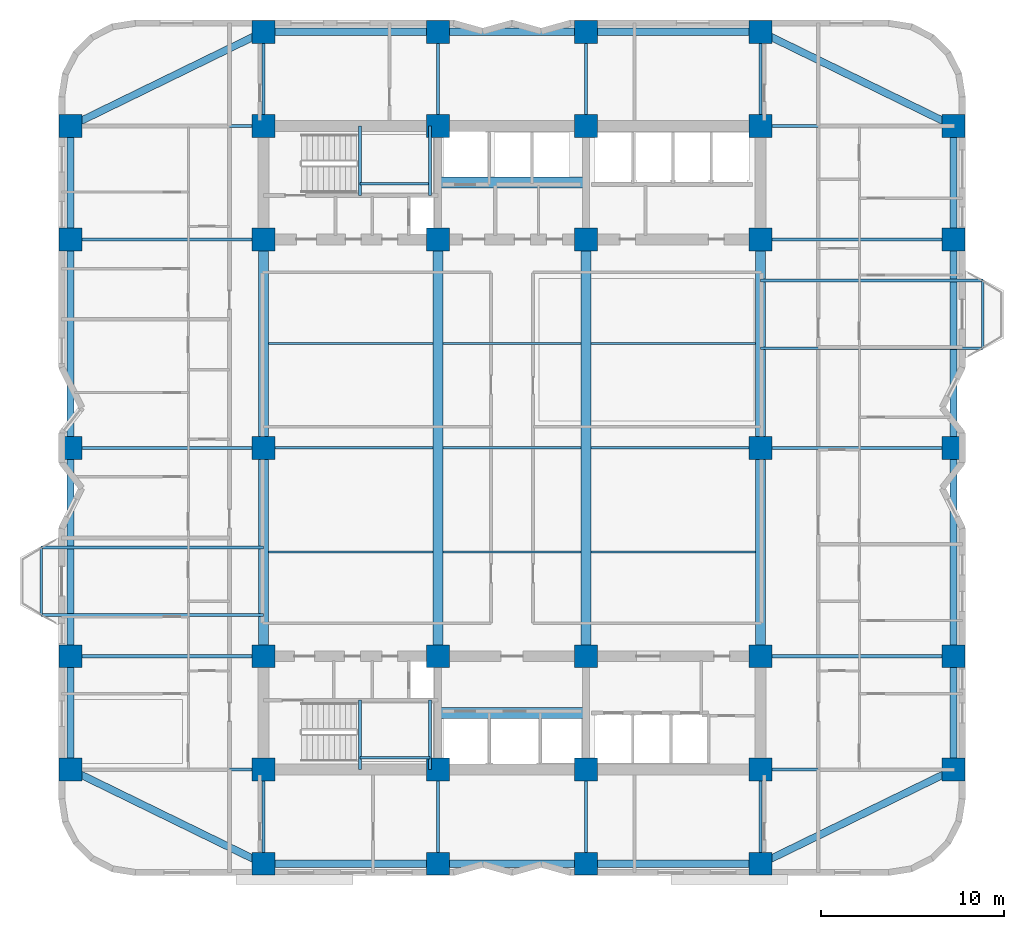
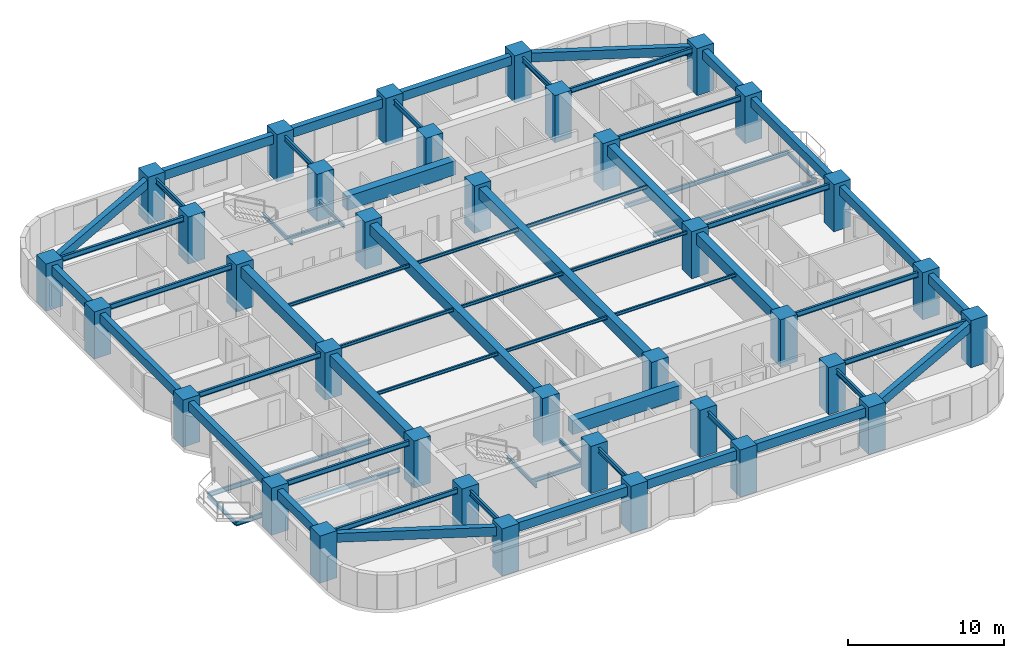
# One storey, part 1 of 10: 65 beams, 36 columns.
"""IFC4 building model written with IfcOpenShell, lengths in metres."""

from ifc_helpers import new_model, si_unit, direction, frame, origin, origin_2d, place, context, subcontext, project, spatial, rectangle, i_section, extrude, material, material_profile, profile_set, type_object, element, save


model = new_model("IFC4")

# Units and contexts
model_context = context("Model", 3, precision=1e-05, world=origin(), true_north=direction((0.0, 1.0)))
body_context = subcontext(model_context, "Body", "Model", "MODEL_VIEW")
ifc_project = project(units=[si_unit("LENGTHUNIT", "METRE"), si_unit("AREAUNIT", "SQUARE_METRE"), si_unit("VOLUMEUNIT", "CUBIC_METRE"), si_unit("PLANEANGLEUNIT", "RADIAN"), si_unit("MASSUNIT", "GRAM", prefix="KILO")], contexts=[model_context])

# Site, building, storey
site_placement = place(None, origin())
site = spatial("IfcSite", under=ifc_project, at=site_placement, CompositionType="ELEMENT")
building_placement = place(site_placement, origin())
building = spatial("IfcBuilding", under=site, at=building_placement, Name="Svetorya Sky Lyceum", CompositionType="ELEMENT")
storey_placement = place(building_placement, frame((0.0, 0.0, 69.5)))
storey = spatial("IfcBuildingStorey", under=building, at=storey_placement, Name="L17", CompositionType="ELEMENT", Elevation=69.5)

# Columns
ifc_material_1 = material(Name="Concrete C60/75", Category="concrete")
ifc_material_profile_1 = material_profile(ifc_material_1, rectangle(XDim=1.25, YDim=1.25, at=origin_2d()), Name="RC COL 1250x1250")
ifc_profile_set_1 = profile_set([ifc_material_profile_1], Name="Concrete C60/75")
column_type = type_object("IfcColumnType", Name="COL-RC-1250", PredefinedType="COLUMN", material=ifc_profile_set_1)
for number, where, z_axis, x_axis, name in (
    (1, (25.60009765625, 10.60009765625, 0.0), (0.0, 0.0, 1.0), (1.0, 0.0, 0.0), "L17 Core Column CS-11"),
    (2, (25.60009765625, 16.800048828125, 0.0), (0.0, 0.0, 1.0), (1.0, 0.0, 0.0), "L17 Core Column CS-12"),
    (3, (35.14990234375, 10.60009765625, 0.0), (0.0, 0.0, 1.0), (1.0, 0.0, 0.0), "L17 Core Column CS-21"),
    (4, (35.14990234375, 16.800048828125, 0.0), (0.0, 0.0, 1.0), (1.0, 0.0, 0.0), "L17 Core Column CS-22"),
    (5, (43.25, 10.60009765625, 0.0), (0.0, 0.0, 1.0), (1.0, 0.0, 0.0), "L17 Core Column CS-31"),
    (6, (43.25, 16.800048828125, 0.0), (0.0, 0.0, 1.0), (1.0, 0.0, 0.0), "L17 Core Column CS-32"),
    (7, (52.800048828125, 10.60009765625, 0.0), (0.0, 0.0, 1.0), (1.0, 0.0, 0.0), "L17 Core Column CS-41"),
    (8, (52.800048828125, 16.800048828125, 0.0), (0.0, 0.0, 1.0), (1.0, 0.0, 0.0), "L17 Core Column CS-42"),
    (9, (25.60009765625, 39.60009765625, 0.0), (0.0, 0.0, 1.0), (1.0, 0.0, 0.0), "L17 Core Column CN-11"),
    (10, (25.60009765625, 45.800048828125, 0.0), (0.0, 0.0, 1.0), (1.0, 0.0, 0.0), "L17 Core Column CN-12"),
    (11, (35.14990234375, 39.60009765625, 0.0), (0.0, 0.0, 1.0), (1.0, 0.0, 0.0), "L17 Core Column CN-21"),
    (12, (35.14990234375, 45.800048828125, 0.0), (0.0, 0.0, 1.0), (1.0, 0.0, 0.0), "L17 Core Column CN-22"),
    (13, (43.25, 39.60009765625, 0.0), (0.0, 0.0, 1.0), (1.0, 0.0, 0.0), "L17 Core Column CN-31"),
    (14, (43.25, 45.800048828125, 0.0), (0.0, 0.0, 1.0), (1.0, 0.0, 0.0), "L17 Core Column CN-32"),
    (15, (52.800048828125, 39.60009765625, 0.0), (0.0, 0.0, 1.0), (1.0, 0.0, 0.0), "L17 Core Column CN-41"),
    (16, (52.800048828125, 45.800048828125, 0.0), (0.0, 0.0, 1.0), (1.0, 0.0, 0.0), "L17 Core Column CN-42"),
    (17, (25.60009765625, 28.199951171875, 0.0), (0.0, 0.0, 1.0), (1.0, 0.0, 0.0), "L17 Core Column CM-W"),
    (18, (52.800048828125, 28.199951171875, 0.0), (0.0, 0.0, 1.0), (1.0, 0.0, 0.0), "L17 Core Column CM-E"),
    (19, (25.60009765625, 5.449951171875, 0.0), (0.0, 0.0, 1.0), (1.0, 0.0, 0.0), "L17 Perimeter Column S1"),
    (20, (25.60009765625, 50.949951171875, 0.0), (0.0, 0.0, 1.0), (1.0, 0.0, 0.0), "L17 Perimeter Column N1"),
    (21, (35.14990234375, 5.449951171875, 0.0), (0.0, 0.0, 1.0), (1.0, 0.0, 0.0), "L17 Perimeter Column S2"),
    (22, (35.14990234375, 50.949951171875, 0.0), (0.0, 0.0, 1.0), (1.0, 0.0, 0.0), "L17 Perimeter Column N2"),
    (23, (43.25, 5.449951171875, 0.0), (0.0, 0.0, 1.0), (1.0, 0.0, 0.0), "L17 Perimeter Column S3"),
    (24, (43.25, 50.949951171875, 0.0), (0.0, 0.0, 1.0), (1.0, 0.0, 0.0), "L17 Perimeter Column N3"),
    (25, (52.800048828125, 5.449951171875, 0.0), (0.0, 0.0, 1.0), (1.0, 0.0, 0.0), "L17 Perimeter Column S4"),
    (26, (52.800048828125, 50.949951171875, 0.0), (0.0, 0.0, 1.0), (1.0, 0.0, 0.0), "L17 Perimeter Column N4"),
    (27, (15.050048828125, 10.60009765625, 0.0), (0.0, 0.0, 1.0), (1.0, 0.0, 0.0), "L17 Perimeter Column W1"),
    (28, (63.35009765625, 10.60009765625, 0.0), (0.0, 0.0, 1.0), (1.0, 0.0, 0.0), "L17 Perimeter Column E1"),
    (29, (15.050048828125, 16.800048828125, 0.0), (0.0, 0.0, 1.0), (1.0, 0.0, 0.0), "L17 Perimeter Column W2"),
    (30, (63.35009765625, 16.800048828125, 0.0), (0.0, 0.0, 1.0), (1.0, 0.0, 0.0), "L17 Perimeter Column E2"),
    (31, (15.050048828125, 28.199951171875, 0.0), (0.0, 0.0, 1.0), (1.0, 0.0, 0.0), "L17 Perimeter Column W3"),
    (32, (63.35009765625, 28.199951171875, 0.0), (0.0, 0.0, 1.0), (1.0, 0.0, 0.0), "L17 Perimeter Column E3"),
    (33, (15.050048828125, 39.60009765625, 0.0), (0.0, 0.0, 1.0), (1.0, 0.0, 0.0), "L17 Perimeter Column W4"),
    (34, (63.35009765625, 39.60009765625, 0.0), (0.0, 0.0, 1.0), (1.0, 0.0, 0.0), "L17 Perimeter Column E4"),
    (35, (15.050048828125, 45.800048828125, 0.0), (0.0, 0.0, 1.0), (1.0, 0.0, 0.0), "L17 Perimeter Column W5"),
    (36, (63.35009765625, 45.800048828125, 0.0), (0.0, 0.0, 1.0), (1.0, 0.0, 0.0), "L17 Perimeter Column E5"),
):
    element("IfcColumn", number, at=place(storey_placement, frame(where, z_axis=z_axis, x_axis=x_axis)), inside=storey, type_object=column_type, Name=name, PredefinedType="COLUMN", context=body_context, shape_type="SweptSolid", body=[
        extrude(rectangle(XDim=1.25, YDim=1.25, at=origin_2d()), origin(), (0.0, 0.0, 1.0), 3.699951171875),
    ])

# Beams
ifc_material_profile_2 = material_profile(ifc_material_1, rectangle(XDim=0.60009765625, YDim=1.10009765625, at=origin_2d()), Name="RC COUPLING 600x1100")
ifc_profile_set_2 = profile_set([ifc_material_profile_2], Name="Concrete C60/75")
beam_type_1 = type_object("IfcBeamType", Name="BM-CPL-1100", PredefinedType="LINTEL", material=ifc_profile_set_2)
for number, where, z_axis, x_axis, name in (
    (37, (35.14990234375, 13.699951171875, 2.8701171875), (1.0, 0.0, 0.0), (0.0, 1.0, 0.0), "L17 SC Core Coupling Beam"),
    (38, (35.14990234375, 42.699951171875, 2.8701171875), (1.0, 0.0, 0.0), (0.0, 1.0, 0.0), "L17 NC Core Coupling Beam"),
):
    element("IfcBeam", number, at=place(storey_placement, frame(where, z_axis=z_axis, x_axis=x_axis)), inside=storey, type_object=beam_type_1, Name=name, PredefinedType="LINTEL", context=body_context, shape_type="SweptSolid", body=[
        extrude(rectangle(XDim=0.60009765625, YDim=1.10009765625, at=origin_2d()), origin(), (0.0, 0.0, 1.0), 8.10009765625),
    ])
ifc_material_2 = material(Name="Concrete C50/60", Category="concrete")
ifc_material_profile_3 = material_profile(ifc_material_2, rectangle(XDim=0.550048828125, YDim=0.85009765625, at=origin_2d()), Name="RC BEAM 550x850")
ifc_profile_set_3 = profile_set([ifc_material_profile_3], Name="Concrete C50/60")
beam_type_2 = type_object("IfcBeamType", Name="BM-RC-850", PredefinedType="BEAM", material=ifc_profile_set_3)
beam_1_placement = place(storey_placement, frame((25.60009765625, 16.800048828125, 2.9951171875), z_axis=(0.0, 1.0, 0.0), x_axis=(-1.0, 0.0, 0.0)))
element("IfcBeam", 39, at=beam_1_placement, inside=storey, type_object=beam_type_2, Name="L17 Central Bay Primary Girder CG-1A", PredefinedType="BEAM", context=body_context, shape_type="SweptSolid", body=[
    extrude(rectangle(XDim=0.550048828125, YDim=0.85009765625, at=origin_2d()), origin(), (0.0, 0.0, 1.0), 11.39990234375),
])
beam_2_placement = place(storey_placement, frame((25.60009765625, 28.199951171875, 2.9951171875), z_axis=(0.0, 1.0, 0.0), x_axis=(-1.0, 0.0, 0.0)))
element("IfcBeam", 40, at=beam_2_placement, inside=storey, type_object=beam_type_2, Name="L17 Central Bay Primary Girder CG-1B", PredefinedType="BEAM", context=body_context, shape_type="SweptSolid", body=[
    extrude(rectangle(XDim=0.550048828125, YDim=0.85009765625, at=origin_2d()), origin(), (0.0, 0.0, 1.0), 11.400146484375),
])
for number, where, z_axis, x_axis, name in (
    (41, (35.14990234375, 16.800048828125, 2.9951171875), (0.0, 1.0, 0.0), (-1.0, 0.0, 0.0), "L17 Central Bay Primary Girder CG-2"),
    (42, (43.25, 16.800048828125, 2.9951171875), (0.0, 1.0, 0.0), (-1.0, 0.0, 0.0), "L17 Central Bay Primary Girder CG-3"),
):
    element("IfcBeam", number, at=place(storey_placement, frame(where, z_axis=z_axis, x_axis=x_axis)), inside=storey, type_object=beam_type_2, Name=name, PredefinedType="BEAM", context=body_context, shape_type="SweptSolid", body=[
        extrude(rectangle(XDim=0.550048828125, YDim=0.85009765625, at=origin_2d()), origin(), (0.0, 0.0, 1.0), 22.800048828125),
    ])
beam_3_placement = place(storey_placement, frame((52.800048828125, 16.800048828125, 2.9951171875), z_axis=(0.0, 1.0, 0.0), x_axis=(-1.0, 0.0, 0.0)))
element("IfcBeam", 43, at=beam_3_placement, inside=storey, type_object=beam_type_2, Name="L17 Central Bay Primary Girder CG-4A", PredefinedType="BEAM", context=body_context, shape_type="SweptSolid", body=[
    extrude(rectangle(XDim=0.550048828125, YDim=0.85009765625, at=origin_2d()), origin(), (0.0, 0.0, 1.0), 11.39990234375),
])
beam_4_placement = place(storey_placement, frame((52.800048828125, 28.199951171875, 2.9951171875), z_axis=(0.0, 1.0, 0.0), x_axis=(-1.0, 0.0, 0.0)))
element("IfcBeam", 44, at=beam_4_placement, inside=storey, type_object=beam_type_2, Name="L17 Central Bay Primary Girder CG-4B", PredefinedType="BEAM", context=body_context, shape_type="SweptSolid", body=[
    extrude(rectangle(XDim=0.550048828125, YDim=0.85009765625, at=origin_2d()), origin(), (0.0, 0.0, 1.0), 11.400146484375),
])
ifc_material_profile_4 = material_profile(ifc_material_2, rectangle(XDim=0.39990234375, YDim=0.699951171875, at=origin_2d()), Name="RC SPANDREL 400x700")
ifc_profile_set_4 = profile_set([ifc_material_profile_4], Name="Concrete C50/60")
beam_type_3 = type_object("IfcBeamType", Name="BM-SPN-700", PredefinedType="SPANDREL", material=ifc_profile_set_4)
beam_5_placement = place(storey_placement, frame((25.60009765625, 5.449951171875, 3.070068359375), z_axis=(1.0, 0.0, 0.0), x_axis=(0.0, 1.0, 0.0)))
element("IfcBeam", 45, at=beam_5_placement, inside=storey, type_object=beam_type_3, Name="L17 South Spandrel 1", PredefinedType="SPANDREL", context=body_context, shape_type="SweptSolid", body=[
    extrude(rectangle(XDim=0.39990234375, YDim=0.699951171875, at=origin_2d()), origin(), (0.0, 0.0, 1.0), 9.5498046875),
])
beam_6_placement = place(storey_placement, frame((35.14990234375, 5.449951171875, 3.070068359375), z_axis=(1.0, 0.0, 0.0), x_axis=(0.0, 1.0, 0.0)))
element("IfcBeam", 46, at=beam_6_placement, inside=storey, type_object=beam_type_3, Name="L17 South Spandrel 2", PredefinedType="SPANDREL", context=body_context, shape_type="SweptSolid", body=[
    extrude(rectangle(XDim=0.39990234375, YDim=0.699951171875, at=origin_2d()), origin(), (0.0, 0.0, 1.0), 8.10009765625),
])
beam_7_placement = place(storey_placement, frame((43.25, 5.449951171875, 3.070068359375), z_axis=(1.0, 0.0, 0.0), x_axis=(0.0, 1.0, 0.0)))
element("IfcBeam", 47, at=beam_7_placement, inside=storey, type_object=beam_type_3, Name="L17 South Spandrel 3", PredefinedType="SPANDREL", context=body_context, shape_type="SweptSolid", body=[
    extrude(rectangle(XDim=0.39990234375, YDim=0.699951171875, at=origin_2d()), origin(), (0.0, 0.0, 1.0), 9.550048828125),
])
beam_8_placement = place(storey_placement, frame((25.60009765625, 50.949951171875, 3.070068359375), z_axis=(1.0, 0.0, 0.0), x_axis=(0.0, 1.0, 0.0)))
element("IfcBeam", 48, at=beam_8_placement, inside=storey, type_object=beam_type_3, Name="L17 North Spandrel 1", PredefinedType="SPANDREL", context=body_context, shape_type="SweptSolid", body=[
    extrude(rectangle(XDim=0.39990234375, YDim=0.699951171875, at=origin_2d()), origin(), (0.0, 0.0, 1.0), 9.5498046875),
])
beam_9_placement = place(storey_placement, frame((35.14990234375, 50.949951171875, 3.070068359375), z_axis=(1.0, 0.0, 0.0), x_axis=(0.0, 1.0, 0.0)))
element("IfcBeam", 49, at=beam_9_placement, inside=storey, type_object=beam_type_3, Name="L17 North Spandrel 2", PredefinedType="SPANDREL", context=body_context, shape_type="SweptSolid", body=[
    extrude(rectangle(XDim=0.39990234375, YDim=0.699951171875, at=origin_2d()), origin(), (0.0, 0.0, 1.0), 8.10009765625),
])
beam_10_placement = place(storey_placement, frame((43.25, 50.949951171875, 3.070068359375), z_axis=(1.0, 0.0, 0.0), x_axis=(0.0, 1.0, 0.0)))
element("IfcBeam", 50, at=beam_10_placement, inside=storey, type_object=beam_type_3, Name="L17 North Spandrel 3", PredefinedType="SPANDREL", context=body_context, shape_type="SweptSolid", body=[
    extrude(rectangle(XDim=0.39990234375, YDim=0.699951171875, at=origin_2d()), origin(), (0.0, 0.0, 1.0), 9.550048828125),
])
for number, where, z_axis, x_axis, name in (
    (51, (25.60009765625, 5.449951171875, 3.070068359375), (-0.898641495694, 0.438683783854, 0.0), (-0.438683783854, -0.898641495694, 0.0), "L17 Corner Spandrel 1"),
    (52, (52.800048828125, 5.449951171875, 3.070068359375), (0.898641495694, 0.438683783854, 0.0), (-0.438683783854, 0.898641495694, 0.0), "L17 Corner Spandrel 2"),
    (53, (63.35009765625, 45.800048828125, 3.070068359375), (-0.898649693653, 0.438666989978, 0.0), (-0.438666989978, -0.898649693653, 0.0), "L17 Corner Spandrel 3"),
    (54, (15.050048828125, 45.800048828125, 3.070068359375), (0.898649693653, 0.438666989978, 0.0), (-0.438666989978, 0.898649693653, 0.0), "L17 Corner Spandrel 4"),
):
    element("IfcBeam", number, at=place(storey_placement, frame(where, z_axis=z_axis, x_axis=x_axis)), inside=storey, type_object=beam_type_3, Name=name, PredefinedType="SPANDREL", context=body_context, shape_type="SweptSolid", body=[
        extrude(rectangle(XDim=0.39990234375, YDim=0.699951171875, at=origin_2d()), origin(), (0.0, 0.0, 1.0), 11.739990234375),
    ])
beam_11_placement = place(storey_placement, frame((15.050048828125, 10.60009765625, 3.070068359375), z_axis=(0.0, 1.0, 0.0), x_axis=(-1.0, 0.0, 0.0)))
element("IfcBeam", 55, at=beam_11_placement, inside=storey, type_object=beam_type_3, Name="L17 West Spandrel 1", PredefinedType="SPANDREL", context=body_context, shape_type="SweptSolid", body=[
    extrude(rectangle(XDim=0.39990234375, YDim=0.699951171875, at=origin_2d()), origin(), (0.0, 0.0, 1.0), 6.199951171875),
])
beam_12_placement = place(storey_placement, frame((15.050048828125, 16.800048828125, 3.070068359375), z_axis=(0.0, 1.0, 0.0), x_axis=(-1.0, 0.0, 0.0)))
element("IfcBeam", 56, at=beam_12_placement, inside=storey, type_object=beam_type_3, Name="L17 West Spandrel 2", PredefinedType="SPANDREL", context=body_context, shape_type="SweptSolid", body=[
    extrude(rectangle(XDim=0.39990234375, YDim=0.699951171875, at=origin_2d()), origin(), (0.0, 0.0, 1.0), 11.39990234375),
])
beam_13_placement = place(storey_placement, frame((15.050048828125, 28.199951171875, 3.070068359375), z_axis=(0.0, 1.0, 0.0), x_axis=(-1.0, 0.0, 0.0)))
element("IfcBeam", 57, at=beam_13_placement, inside=storey, type_object=beam_type_3, Name="L17 West Spandrel 3", PredefinedType="SPANDREL", context=body_context, shape_type="SweptSolid", body=[
    extrude(rectangle(XDim=0.39990234375, YDim=0.699951171875, at=origin_2d()), origin(), (0.0, 0.0, 1.0), 11.400146484375),
])
for number, where, z_axis, x_axis, name in (
    (58, (15.050048828125, 39.60009765625, 3.070068359375), (0.0, 1.0, 0.0), (-1.0, 0.0, 0.0), "L17 West Spandrel 4"),
    (59, (63.35009765625, 10.60009765625, 3.070068359375), (0.0, 1.0, 0.0), (-1.0, 0.0, 0.0), "L17 East Spandrel 1"),
):
    element("IfcBeam", number, at=place(storey_placement, frame(where, z_axis=z_axis, x_axis=x_axis)), inside=storey, type_object=beam_type_3, Name=name, PredefinedType="SPANDREL", context=body_context, shape_type="SweptSolid", body=[
        extrude(rectangle(XDim=0.39990234375, YDim=0.699951171875, at=origin_2d()), origin(), (0.0, 0.0, 1.0), 6.199951171875),
    ])
beam_14_placement = place(storey_placement, frame((63.35009765625, 16.800048828125, 3.070068359375), z_axis=(0.0, 1.0, 0.0), x_axis=(-1.0, 0.0, 0.0)))
element("IfcBeam", 60, at=beam_14_placement, inside=storey, type_object=beam_type_3, Name="L17 East Spandrel 2", PredefinedType="SPANDREL", context=body_context, shape_type="SweptSolid", body=[
    extrude(rectangle(XDim=0.39990234375, YDim=0.699951171875, at=origin_2d()), origin(), (0.0, 0.0, 1.0), 11.39990234375),
])
beam_15_placement = place(storey_placement, frame((63.35009765625, 28.199951171875, 3.070068359375), z_axis=(0.0, 1.0, 0.0), x_axis=(-1.0, 0.0, 0.0)))
element("IfcBeam", 61, at=beam_15_placement, inside=storey, type_object=beam_type_3, Name="L17 East Spandrel 3", PredefinedType="SPANDREL", context=body_context, shape_type="SweptSolid", body=[
    extrude(rectangle(XDim=0.39990234375, YDim=0.699951171875, at=origin_2d()), origin(), (0.0, 0.0, 1.0), 11.400146484375),
])
beam_16_placement = place(storey_placement, frame((63.35009765625, 39.60009765625, 3.070068359375), z_axis=(0.0, 1.0, 0.0), x_axis=(-1.0, 0.0, 0.0)))
element("IfcBeam", 62, at=beam_16_placement, inside=storey, type_object=beam_type_3, Name="L17 East Spandrel 4", PredefinedType="SPANDREL", context=body_context, shape_type="SweptSolid", body=[
    extrude(rectangle(XDim=0.39990234375, YDim=0.699951171875, at=origin_2d()), origin(), (0.0, 0.0, 1.0), 6.199951171875),
])
ifc_material_3 = material(Name="Steel S355", Category="steel")
ifc_material_profile_5 = material_profile(ifc_material_3, i_section(OverallWidth=0.1240234375, OverallDepth=0.248046875, WebThickness=0.006103515625, FlangeThickness=0.009521484375, at=origin_2d()), Name="GOST 25B2")
ifc_profile_set_5 = profile_set([ifc_material_profile_5], Name="Steel S355")
beam_type_4 = type_object("IfcBeamType", Name="BM-STL-25B2", PredefinedType="JOIST", material=ifc_profile_set_5)
beam_17_placement = place(storey_placement, frame((25.875, 22.5, 3.2958984375), z_axis=(1.0, 0.0, 0.0), x_axis=(0.0, 1.0, 0.0)))
element("IfcBeam", 63, at=beam_17_placement, inside=storey, type_object=beam_type_4, Name="L17 Central Floor Joist CJ-1.1", PredefinedType="JOIST", context=body_context, shape_type="SweptSolid", body=[
    extrude(i_section(OverallWidth=0.1240234375, OverallDepth=0.248046875, WebThickness=0.006103515625, FlangeThickness=0.009521484375, at=origin_2d()), origin(), (0.0, 0.0, 1.0), 9.0),
])
beam_18_placement = place(storey_placement, frame((35.425048828125, 22.5, 3.2958984375), z_axis=(1.0, 0.0, 0.0), x_axis=(0.0, 1.0, 0.0)))
element("IfcBeam", 64, at=beam_18_placement, inside=storey, type_object=beam_type_4, Name="L17 Central Floor Joist CJ-1.2", PredefinedType="JOIST", context=body_context, shape_type="SweptSolid", body=[
    extrude(i_section(OverallWidth=0.1240234375, OverallDepth=0.248046875, WebThickness=0.006103515625, FlangeThickness=0.009521484375, at=origin_2d()), origin(), (0.0, 0.0, 1.0), 7.550048828125),
])
for number, where, z_axis, x_axis, name in (
    (65, (43.52490234375, 22.5, 3.2958984375), (1.0, 0.0, 0.0), (0.0, 1.0, 0.0), "L17 Central Floor Joist CJ-1.3"),
    (66, (25.875, 28.199951171875, 3.2958984375), (1.0, 0.0, 0.0), (0.0, 1.0, 0.0), "L17 Central Floor Joist CJ-2.1"),
):
    element("IfcBeam", number, at=place(storey_placement, frame(where, z_axis=z_axis, x_axis=x_axis)), inside=storey, type_object=beam_type_4, Name=name, PredefinedType="JOIST", context=body_context, shape_type="SweptSolid", body=[
        extrude(i_section(OverallWidth=0.1240234375, OverallDepth=0.248046875, WebThickness=0.006103515625, FlangeThickness=0.009521484375, at=origin_2d()), origin(), (0.0, 0.0, 1.0), 9.0),
    ])
beam_19_placement = place(storey_placement, frame((35.425048828125, 28.199951171875, 3.2958984375), z_axis=(1.0, 0.0, 0.0), x_axis=(0.0, 1.0, 0.0)))
element("IfcBeam", 67, at=beam_19_placement, inside=storey, type_object=beam_type_4, Name="L17 Central Floor Joist CJ-2.2", PredefinedType="JOIST", context=body_context, shape_type="SweptSolid", body=[
    extrude(i_section(OverallWidth=0.1240234375, OverallDepth=0.248046875, WebThickness=0.006103515625, FlangeThickness=0.009521484375, at=origin_2d()), origin(), (0.0, 0.0, 1.0), 7.550048828125),
])
for number, where, z_axis, x_axis, name in (
    (68, (43.52490234375, 28.199951171875, 3.2958984375), (1.0, 0.0, 0.0), (0.0, 1.0, 0.0), "L17 Central Floor Joist CJ-2.3"),
    (69, (25.875, 33.89990234375, 3.2958984375), (1.0, 0.0, 0.0), (0.0, 1.0, 0.0), "L17 Central Floor Joist CJ-3.1"),
):
    element("IfcBeam", number, at=place(storey_placement, frame(where, z_axis=z_axis, x_axis=x_axis)), inside=storey, type_object=beam_type_4, Name=name, PredefinedType="JOIST", context=body_context, shape_type="SweptSolid", body=[
        extrude(i_section(OverallWidth=0.1240234375, OverallDepth=0.248046875, WebThickness=0.006103515625, FlangeThickness=0.009521484375, at=origin_2d()), origin(), (0.0, 0.0, 1.0), 9.0),
    ])
beam_20_placement = place(storey_placement, frame((35.425048828125, 33.89990234375, 3.2958984375), z_axis=(1.0, 0.0, 0.0), x_axis=(0.0, 1.0, 0.0)))
element("IfcBeam", 70, at=beam_20_placement, inside=storey, type_object=beam_type_4, Name="L17 Central Floor Joist CJ-3.2", PredefinedType="JOIST", context=body_context, shape_type="SweptSolid", body=[
    extrude(i_section(OverallWidth=0.1240234375, OverallDepth=0.248046875, WebThickness=0.006103515625, FlangeThickness=0.009521484375, at=origin_2d()), origin(), (0.0, 0.0, 1.0), 7.550048828125),
])
beam_21_placement = place(storey_placement, frame((43.52490234375, 33.89990234375, 3.2958984375), z_axis=(1.0, 0.0, 0.0), x_axis=(0.0, 1.0, 0.0)))
element("IfcBeam", 71, at=beam_21_placement, inside=storey, type_object=beam_type_4, Name="L17 Central Floor Joist CJ-3.3", PredefinedType="JOIST", context=body_context, shape_type="SweptSolid", body=[
    extrude(i_section(OverallWidth=0.1240234375, OverallDepth=0.248046875, WebThickness=0.006103515625, FlangeThickness=0.009521484375, at=origin_2d()), origin(), (0.0, 0.0, 1.0), 9.0),
])
ifc_material_profile_6 = material_profile(ifc_material_3, i_section(OverallWidth=0.14990234375, OverallDepth=0.299072265625, WebThickness=0.006591796875, FlangeThickness=0.010498046875, at=origin_2d()), Name="GOST 30B2")
ifc_profile_set_6 = profile_set([ifc_material_profile_6], Name="Steel S355")
beam_type_5 = type_object("IfcBeamType", Name="BM-STL-30B2", PredefinedType="JOIST", material=ifc_profile_set_6)
beam_22_placement = place(storey_placement, frame((13.449951171875, 19.050048828125, -0.45458984375), z_axis=(0.0, 1.0, 0.0), x_axis=(-1.0, 0.0, 0.0)))
element("IfcBeam", 72, at=beam_22_placement, inside=storey, type_object=beam_type_5, Name="L17 Balcony Edge Tie BAL-W1", PredefinedType="JOIST", context=body_context, shape_type="SweptSolid", body=[
    extrude(i_section(OverallWidth=0.14990234375, OverallDepth=0.299072265625, WebThickness=0.006591796875, FlangeThickness=0.010498046875, at=origin_2d()), origin(), (0.0, 0.0, 1.0), 3.699951171875),
])
beam_23_placement = place(storey_placement, frame((64.949951171875, 33.64990234375, -0.45458984375), z_axis=(0.0, 1.0, 0.0), x_axis=(-1.0, 0.0, 0.0)))
element("IfcBeam", 73, at=beam_23_placement, inside=storey, type_object=beam_type_5, Name="L17 Balcony Edge Tie BAL-E1", PredefinedType="JOIST", context=body_context, shape_type="SweptSolid", body=[
    extrude(i_section(OverallWidth=0.14990234375, OverallDepth=0.299072265625, WebThickness=0.006591796875, FlangeThickness=0.010498046875, at=origin_2d()), origin(), (0.0, 0.0, 1.0), 3.7001953125),
])
for number, where, z_axis, x_axis, name in (
    (74, (30.8798828125, 10.60009765625, 1.50048828125), (0.0, 1.0, 0.0), (-1.0, 0.0, 0.0), "L17 Stair ST-S Half-Landing Support Beam 19.1"),
    (75, (34.719970703125, 10.60009765625, 1.50048828125), (0.0, 1.0, 0.0), (-1.0, 0.0, 0.0), "L17 Stair ST-S Half-Landing Support Beam 19.2"),
):
    element("IfcBeam", number, at=place(storey_placement, frame(where, z_axis=z_axis, x_axis=x_axis)), inside=storey, type_object=beam_type_5, Name=name, PredefinedType="JOIST", context=body_context, shape_type="SweptSolid", body=[
        extrude(i_section(OverallWidth=0.14990234375, OverallDepth=0.299072265625, WebThickness=0.006591796875, FlangeThickness=0.010498046875, at=origin_2d()), origin(), (0.0, 0.0, 1.0), 3.7998046875),
    ])
beam_24_placement = place(storey_placement, frame((30.8798828125, 11.25, 1.50048828125), z_axis=(1.0, 0.0, 0.0), x_axis=(0.0, 1.0, 0.0)))
element("IfcBeam", 76, at=beam_24_placement, inside=storey, type_object=beam_type_5, Name="L17 Stair ST-S Half-Landing Cross Tie 19", PredefinedType="JOIST", context=body_context, shape_type="SweptSolid", body=[
    extrude(i_section(OverallWidth=0.14990234375, OverallDepth=0.299072265625, WebThickness=0.006591796875, FlangeThickness=0.010498046875, at=origin_2d()), origin(), (0.0, 0.0, 1.0), 3.840087890625),
])
for number, where, z_axis, x_axis, name in (
    (77, (30.8798828125, 42.0, 1.50048828125), (0.0, 1.0, 0.0), (-1.0, 0.0, 0.0), "L17 Stair ST-N Half-Landing Support Beam 19.1"),
    (78, (34.719970703125, 42.0, 1.50048828125), (0.0, 1.0, 0.0), (-1.0, 0.0, 0.0), "L17 Stair ST-N Half-Landing Support Beam 19.2"),
):
    element("IfcBeam", number, at=place(storey_placement, frame(where, z_axis=z_axis, x_axis=x_axis)), inside=storey, type_object=beam_type_5, Name=name, PredefinedType="JOIST", context=body_context, shape_type="SweptSolid", body=[
        extrude(i_section(OverallWidth=0.14990234375, OverallDepth=0.299072265625, WebThickness=0.006591796875, FlangeThickness=0.010498046875, at=origin_2d()), origin(), (0.0, 0.0, 1.0), 3.800048828125),
    ])
beam_25_placement = place(storey_placement, frame((30.8798828125, 42.64990234375, 1.50048828125), z_axis=(1.0, 0.0, 0.0), x_axis=(0.0, 1.0, 0.0)))
element("IfcBeam", 79, at=beam_25_placement, inside=storey, type_object=beam_type_5, Name="L17 Stair ST-N Half-Landing Cross Tie 19", PredefinedType="JOIST", context=body_context, shape_type="SweptSolid", body=[
    extrude(i_section(OverallWidth=0.14990234375, OverallDepth=0.299072265625, WebThickness=0.006591796875, FlangeThickness=0.010498046875, at=origin_2d()), origin(), (0.0, 0.0, 1.0), 3.840087890625),
])
ifc_material_profile_7 = material_profile(ifc_material_3, i_section(OverallWidth=0.155029296875, OverallDepth=0.34912109375, WebThickness=0.007080078125, FlangeThickness=0.011474609375, at=origin_2d()), Name="GOST 35B2")
ifc_profile_set_7 = profile_set([ifc_material_profile_7], Name="Steel S355")
beam_type_6 = type_object("IfcBeamType", Name="BM-STL-35B2", PredefinedType="JOIST", material=ifc_profile_set_7)
for number, where, z_axis, x_axis, name in (
    (80, (25.60009765625, 19.050048828125, -0.45458984375), (-1.0, 0.0, 0.0), (0.0, -1.0, 0.0), "L17 Balcony Cantilever Beam BAL-W1-1"),
    (81, (25.60009765625, 22.75, -0.45458984375), (-1.0, 0.0, 0.0), (0.0, -1.0, 0.0), "L17 Balcony Cantilever Beam BAL-W1-2"),
):
    element("IfcBeam", number, at=place(storey_placement, frame(where, z_axis=z_axis, x_axis=x_axis)), inside=storey, type_object=beam_type_6, Name=name, PredefinedType="JOIST", context=body_context, shape_type="SweptSolid", body=[
        extrude(i_section(OverallWidth=0.155029296875, OverallDepth=0.34912109375, WebThickness=0.007080078125, FlangeThickness=0.011474609375, at=origin_2d()), origin(), (0.0, 0.0, 1.0), 12.150146484375),
    ])
for number, where, z_axis, x_axis, name in (
    (82, (52.800048828125, 33.64990234375, -0.45458984375), (1.0, 0.0, 0.0), (0.0, 1.0, 0.0), "L17 Balcony Cantilever Beam BAL-E1-1"),
    (83, (52.800048828125, 37.35009765625, -0.45458984375), (1.0, 0.0, 0.0), (0.0, 1.0, 0.0), "L17 Balcony Cantilever Beam BAL-E1-2"),
):
    element("IfcBeam", number, at=place(storey_placement, frame(where, z_axis=z_axis, x_axis=x_axis)), inside=storey, type_object=beam_type_6, Name=name, PredefinedType="JOIST", context=body_context, shape_type="SweptSolid", body=[
        extrude(i_section(OverallWidth=0.155029296875, OverallDepth=0.34912109375, WebThickness=0.007080078125, FlangeThickness=0.011474609375, at=origin_2d()), origin(), (0.0, 0.0, 1.0), 12.14990234375),
    ])
ifc_material_profile_8 = material_profile(ifc_material_3, i_section(OverallWidth=0.1650390625, OverallDepth=0.39990234375, WebThickness=0.008056640625, FlangeThickness=0.012939453125, at=origin_2d()), Name="GOST 40B2")
ifc_profile_set_8 = profile_set([ifc_material_profile_8], Name="Steel S355")
beam_type_7 = type_object("IfcBeamType", Name="BM-STL-40B2", PredefinedType="JOIST", material=ifc_profile_set_8)
for number, where, z_axis, x_axis, name in (
    (84, (15.050048828125, 10.60009765625, 3.219970703125), (1.0, 0.0, 0.0), (0.0, 1.0, 0.0), "L17 West Wing Floor Joist W1"),
    (85, (52.800048828125, 10.60009765625, 3.219970703125), (1.0, 0.0, 0.0), (0.0, 1.0, 0.0), "L17 East Wing Floor Joist E1"),
    (86, (15.050048828125, 16.800048828125, 3.219970703125), (1.0, 0.0, 0.0), (0.0, 1.0, 0.0), "L17 West Wing Floor Joist W2"),
    (87, (52.800048828125, 16.800048828125, 3.219970703125), (1.0, 0.0, 0.0), (0.0, 1.0, 0.0), "L17 East Wing Floor Joist E2"),
    (88, (15.050048828125, 28.199951171875, 3.219970703125), (1.0, 0.0, 0.0), (0.0, 1.0, 0.0), "L17 West Wing Floor Joist W3"),
    (89, (52.800048828125, 28.199951171875, 3.219970703125), (1.0, 0.0, 0.0), (0.0, 1.0, 0.0), "L17 East Wing Floor Joist E3"),
    (90, (15.050048828125, 39.60009765625, 3.219970703125), (1.0, 0.0, 0.0), (0.0, 1.0, 0.0), "L17 West Wing Floor Joist W4"),
    (91, (52.800048828125, 39.60009765625, 3.219970703125), (1.0, 0.0, 0.0), (0.0, 1.0, 0.0), "L17 East Wing Floor Joist E4"),
    (92, (15.050048828125, 45.800048828125, 3.219970703125), (1.0, 0.0, 0.0), (0.0, 1.0, 0.0), "L17 West Wing Floor Joist W5"),
    (93, (52.800048828125, 45.800048828125, 3.219970703125), (1.0, 0.0, 0.0), (0.0, 1.0, 0.0), "L17 East Wing Floor Joist E5"),
):
    element("IfcBeam", number, at=place(storey_placement, frame(where, z_axis=z_axis, x_axis=x_axis)), inside=storey, type_object=beam_type_7, Name=name, PredefinedType="JOIST", context=body_context, shape_type="SweptSolid", body=[
        extrude(i_section(OverallWidth=0.1650390625, OverallDepth=0.39990234375, WebThickness=0.008056640625, FlangeThickness=0.012939453125, at=origin_2d()), origin(), (0.0, 0.0, 1.0), 10.550048828125),
    ])
beam_26_placement = place(storey_placement, frame((25.60009765625, 5.449951171875, 3.219970703125), z_axis=(0.0, 1.0, 0.0), x_axis=(-1.0, 0.0, 0.0)))
element("IfcBeam", 94, at=beam_26_placement, inside=storey, type_object=beam_type_7, Name="L17 South Bay Floor Girder S1", PredefinedType="JOIST", context=body_context, shape_type="SweptSolid", body=[
    extrude(i_section(OverallWidth=0.1650390625, OverallDepth=0.39990234375, WebThickness=0.008056640625, FlangeThickness=0.012939453125, at=origin_2d()), origin(), (0.0, 0.0, 1.0), 5.150146484375),
])
beam_27_placement = place(storey_placement, frame((25.60009765625, 45.800048828125, 3.219970703125), z_axis=(0.0, 1.0, 0.0), x_axis=(-1.0, 0.0, 0.0)))
element("IfcBeam", 95, at=beam_27_placement, inside=storey, type_object=beam_type_7, Name="L17 North Bay Floor Girder N1", PredefinedType="JOIST", context=body_context, shape_type="SweptSolid", body=[
    extrude(i_section(OverallWidth=0.1650390625, OverallDepth=0.39990234375, WebThickness=0.008056640625, FlangeThickness=0.012939453125, at=origin_2d()), origin(), (0.0, 0.0, 1.0), 5.14990234375),
])
beam_28_placement = place(storey_placement, frame((35.14990234375, 5.449951171875, 3.219970703125), z_axis=(0.0, 1.0, 0.0), x_axis=(-1.0, 0.0, 0.0)))
element("IfcBeam", 96, at=beam_28_placement, inside=storey, type_object=beam_type_7, Name="L17 South Bay Floor Girder S2", PredefinedType="JOIST", context=body_context, shape_type="SweptSolid", body=[
    extrude(i_section(OverallWidth=0.1650390625, OverallDepth=0.39990234375, WebThickness=0.008056640625, FlangeThickness=0.012939453125, at=origin_2d()), origin(), (0.0, 0.0, 1.0), 5.150146484375),
])
beam_29_placement = place(storey_placement, frame((35.14990234375, 45.800048828125, 3.219970703125), z_axis=(0.0, 1.0, 0.0), x_axis=(-1.0, 0.0, 0.0)))
element("IfcBeam", 97, at=beam_29_placement, inside=storey, type_object=beam_type_7, Name="L17 North Bay Floor Girder N2", PredefinedType="JOIST", context=body_context, shape_type="SweptSolid", body=[
    extrude(i_section(OverallWidth=0.1650390625, OverallDepth=0.39990234375, WebThickness=0.008056640625, FlangeThickness=0.012939453125, at=origin_2d()), origin(), (0.0, 0.0, 1.0), 5.14990234375),
])
beam_30_placement = place(storey_placement, frame((43.25, 5.449951171875, 3.219970703125), z_axis=(0.0, 1.0, 0.0), x_axis=(-1.0, 0.0, 0.0)))
element("IfcBeam", 98, at=beam_30_placement, inside=storey, type_object=beam_type_7, Name="L17 South Bay Floor Girder S3", PredefinedType="JOIST", context=body_context, shape_type="SweptSolid", body=[
    extrude(i_section(OverallWidth=0.1650390625, OverallDepth=0.39990234375, WebThickness=0.008056640625, FlangeThickness=0.012939453125, at=origin_2d()), origin(), (0.0, 0.0, 1.0), 5.150146484375),
])
beam_31_placement = place(storey_placement, frame((43.25, 45.800048828125, 3.219970703125), z_axis=(0.0, 1.0, 0.0), x_axis=(-1.0, 0.0, 0.0)))
element("IfcBeam", 99, at=beam_31_placement, inside=storey, type_object=beam_type_7, Name="L17 North Bay Floor Girder N3", PredefinedType="JOIST", context=body_context, shape_type="SweptSolid", body=[
    extrude(i_section(OverallWidth=0.1650390625, OverallDepth=0.39990234375, WebThickness=0.008056640625, FlangeThickness=0.012939453125, at=origin_2d()), origin(), (0.0, 0.0, 1.0), 5.14990234375),
])
beam_32_placement = place(storey_placement, frame((52.800048828125, 5.449951171875, 3.219970703125), z_axis=(0.0, 1.0, 0.0), x_axis=(-1.0, 0.0, 0.0)))
element("IfcBeam", 100, at=beam_32_placement, inside=storey, type_object=beam_type_7, Name="L17 South Bay Floor Girder S4", PredefinedType="JOIST", context=body_context, shape_type="SweptSolid", body=[
    extrude(i_section(OverallWidth=0.1650390625, OverallDepth=0.39990234375, WebThickness=0.008056640625, FlangeThickness=0.012939453125, at=origin_2d()), origin(), (0.0, 0.0, 1.0), 5.150146484375),
])
beam_33_placement = place(storey_placement, frame((52.800048828125, 45.800048828125, 3.219970703125), z_axis=(0.0, 1.0, 0.0), x_axis=(-1.0, 0.0, 0.0)))
element("IfcBeam", 101, at=beam_33_placement, inside=storey, type_object=beam_type_7, Name="L17 North Bay Floor Girder N4", PredefinedType="JOIST", context=body_context, shape_type="SweptSolid", body=[
    extrude(i_section(OverallWidth=0.1650390625, OverallDepth=0.39990234375, WebThickness=0.008056640625, FlangeThickness=0.012939453125, at=origin_2d()), origin(), (0.0, 0.0, 1.0), 5.14990234375),
])

save(model, "model.ifc")
